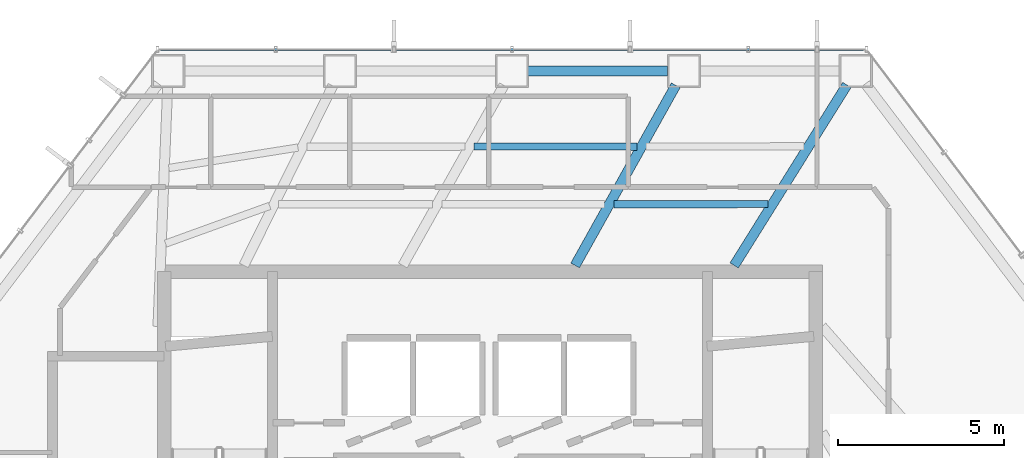
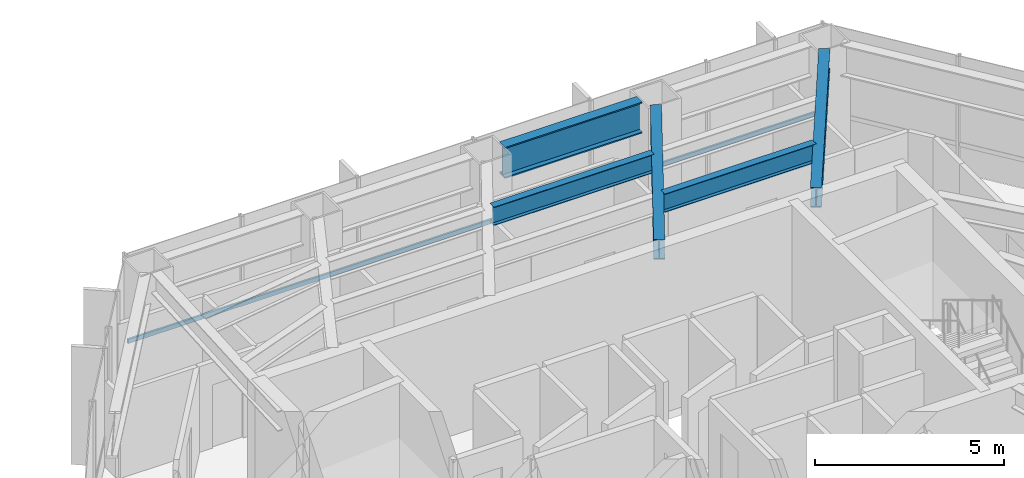
# One storey, part 15 of 26: 5 beams, 1 member, 1 element without a shape of its own.
"""IFC4 building model written with IfcOpenShell, lengths in metres."""

from ifc_helpers import new_model, si_unit, direction, frame, origin, origin_2d, place, context, subcontext, project, spatial, hollow_rectangle, i_section, extrude, material, layer, layer_set, material_profile, profile_set, type_object, element, aggregate, save


model = new_model("IFC4")

# Units and contexts
model_context = context("Model", 3, precision=1e-05, world=origin(), true_north=direction((0.0, 1.0)))
body_context = subcontext(model_context, "Body", "Model", "MODEL_VIEW")
ifc_project = project(units=[si_unit("LENGTHUNIT", "METRE"), si_unit("AREAUNIT", "SQUARE_METRE"), si_unit("VOLUMEUNIT", "CUBIC_METRE"), si_unit("PLANEANGLEUNIT", "RADIAN"), si_unit("MASSUNIT", "GRAM", prefix="KILO")], contexts=[model_context])

# Site, building, storey
site_placement = place(None, origin())
site = spatial("IfcSite", under=ifc_project, at=site_placement, CompositionType="ELEMENT")
building_placement = place(site_placement, origin())
building = spatial("IfcBuilding", under=site, at=building_placement, Name="Zarrinselat Tower", CompositionType="ELEMENT")
storey_placement = place(building_placement, frame((0.0, 0.0, 31.6201171875)))
storey = spatial("IfcBuildingStorey", under=building, at=storey_placement, Name="L07", CompositionType="ELEMENT", Elevation=31.6201171875)

# Beams
ifc_material_1 = material(Name="Steel S355J2", Category="steel")
ifc_material_profile_1 = material_profile(ifc_material_1, i_section(OverallWidth=0.300048828125, OverallDepth=0.64990234375, WebThickness=0.01611328125, FlangeThickness=0.031005859375, at=origin_2d()), Name="HEB 650")
ifc_profile_set_1 = profile_set([ifc_material_profile_1], Name="Steel S355J2")
beam_type_1 = type_object("IfcBeamType", Name="BM-HEB650", PredefinedType="BEAM", material=ifc_profile_set_1)
beam_1_placement = place(storey_placement, frame((45.800048828125, 43.639892578125, 3.494873046875), z_axis=(0.529670738207, 0.848203341827, 0.0), x_axis=(-0.848203341827, 0.529670738207, 0.0)))
element("IfcBeam", 1, at=beam_1_placement, inside=storey, type_object=beam_type_1, Name="L07 Radial Primary Girder RG01", PredefinedType="BEAM", context=body_context, shape_type="SweptSolid", body=[
    extrude(i_section(OverallWidth=0.300048828125, OverallDepth=0.64990234375, WebThickness=0.01611328125, FlangeThickness=0.031005859375, at=origin_2d()), origin(), (0.0, 0.0, 1.0), 6.419921875),
])
beam_2_placement = place(storey_placement, frame((41.0, 43.639892578125, 3.494873046875), z_axis=(0.487729916269, 0.872994575456, 0.0), x_axis=(-0.872994575456, 0.487729916269, 0.0)))
element("IfcBeam", 2, at=beam_2_placement, inside=storey, type_object=beam_type_1, Name="L07 Radial Primary Girder RG02", PredefinedType="BEAM", context=body_context, shape_type="SweptSolid", body=[
    extrude(i_section(OverallWidth=0.300048828125, OverallDepth=0.64990234375, WebThickness=0.01611328125, FlangeThickness=0.031005859375, at=origin_2d()), origin(), (0.0, 0.0, 1.0), 6.2236328125),
])
ifc_material_2 = material(Name="Steel S460M", Category="steel")
ifc_material_profile_2 = material_profile(ifc_material_2, i_section(OverallWidth=0.302001953125, OverallDepth=1.008056640625, WebThickness=0.02099609375, FlangeThickness=0.0400390625, at=origin_2d()), Name="HEM 1000")
ifc_profile_set_2 = profile_set([ifc_material_profile_2], Name="Steel S460M")
beam_type_2 = type_object("IfcBeamType", Name="BM-HEM1000", PredefinedType="BEAM", material=ifc_profile_set_2)
beam_3_placement = place(storey_placement, frame((39.58251953125, 49.510986328125, 3.31591796875), z_axis=(1.0, 0.0, 0.0), x_axis=(0.0, 1.0, 0.0)))
element("IfcBeam", 3, at=beam_3_placement, inside=storey, type_object=beam_type_2, Name="L07 Perimeter Spandrel Girder SP02", PredefinedType="BEAM", context=body_context, shape_type="SweptSolid", body=[
    extrude(i_section(OverallWidth=0.302001953125, OverallDepth=1.008056640625, WebThickness=0.02099609375, FlangeThickness=0.0400390625, at=origin_2d()), origin(), (0.0, 0.0, 1.0), 4.2099609375),
])
ifc_material_3 = material(Name="Steel S355J2", Category="steel")
ifc_material_profile_3 = material_profile(ifc_material_3, i_section(OverallWidth=0.219970703125, OverallDepth=0.60009765625, WebThickness=0.011962890625, FlangeThickness=0.01904296875, at=origin_2d()), Name="IPE 600")
ifc_profile_set_3 = profile_set([ifc_material_profile_3], Name="Steel S355J2")
beam_type_3 = type_object("IfcBeamType", Name="BM-IPE600", PredefinedType="JOIST", material=ifc_profile_set_3)
beam_4_placement = place(storey_placement, frame((42.172119140625, 45.4873046875, 3.519775390625), z_axis=(0.999999646249, 0.000841131024, 0.0), x_axis=(-0.000841131024, 0.999999646249, 0.0)))
element("IfcBeam", 4, at=beam_4_placement, inside=storey, type_object=beam_type_3, Name="L07 Composite Floor Joist 8-2", PredefinedType="JOIST", context=body_context, shape_type="SweptSolid", body=[
    extrude(i_section(OverallWidth=0.219970703125, OverallDepth=0.60009765625, WebThickness=0.011962890625, FlangeThickness=0.01904296875, at=origin_2d()), origin(), (0.0, 0.0, 1.0), 4.64404296875),
])
beam_5_placement = place(storey_placement, frame((37.9521484375, 47.22607421875, 3.519775390625), z_axis=(0.999999995057, -9.9423344e-05, 0.0), x_axis=(9.9423344e-05, 0.999999995057, 0.0)))
element("IfcBeam", 5, at=beam_5_placement, inside=storey, type_object=beam_type_3, Name="L07 Composite Floor Joist 9-1", PredefinedType="JOIST", context=body_context, shape_type="SweptSolid", body=[
    extrude(i_section(OverallWidth=0.219970703125, OverallDepth=0.60009765625, WebThickness=0.011962890625, FlangeThickness=0.01904296875, at=origin_2d()), origin(), (0.0, 0.0, 1.0), 4.9111328125),
])

# Curtain wall, member
ifc_material_4 = material(Name="Extruded Aluminium Alloy EN AW-6063 T6", Category="aluminium")
ifc_layer = layer(ifc_material_4, 0.18505859375)
ifc_layer_set = layer_set([ifc_layer], Name="Extruded Aluminium Alloy EN AW-6063 T6")
curtain_wall_type = type_object("IfcCurtainWallType", Name="CWS-OFF", PredefinedType="NOTDEFINED", material=ifc_layer_set)
curtain_wall_placement = place(storey_placement, origin())
curtain_wall = element("IfcCurtainWall", 6, at=curtain_wall_placement, inside=storey, type_object=curtain_wall_type, Name="L07 Unitised Curtain Wall CW-L07-E01", PredefinedType="NOTDEFINED")
ifc_material_5 = material(Name="Extruded Aluminium Alloy EN AW-6063 T6", Category="aluminium")
ifc_material_profile_4 = material_profile(ifc_material_5, hollow_rectangle(XDim=0.06005859375, YDim=0.139892578125, WallThickness=0.00390625, at=origin_2d()), Name="RHS 140x60x4")
ifc_profile_set_4 = profile_set([ifc_material_profile_4], Name="Extruded Aluminium Alloy EN AW-6063 T6")
member_type = type_object("IfcMemberType", Name="MEM-CW-TRN", PredefinedType="USERDEFINED", material=ifc_profile_set_4)
member_placement = place(storey_placement, frame((49.699462890625, 50.1611328125, 0.949951171875), z_axis=(-1.0, 0.0, 0.0), x_axis=(0.0, -1.0, 0.0)))
member = element("IfcMember", 7, at=member_placement, type_object=member_type, Name="CW-L07-E01 Transom 1", ObjectType="TRANSOM", PredefinedType="USERDEFINED", context=body_context, shape_type="SweptSolid", body=[
    extrude(hollow_rectangle(XDim=0.06005859375, YDim=0.139892578125, WallThickness=0.00390625, at=origin_2d()), origin(), (0.0, 0.0, 1.0), 21.2099609375),
])
aggregate(curtain_wall, [member])

save(model, "model.ifc")
